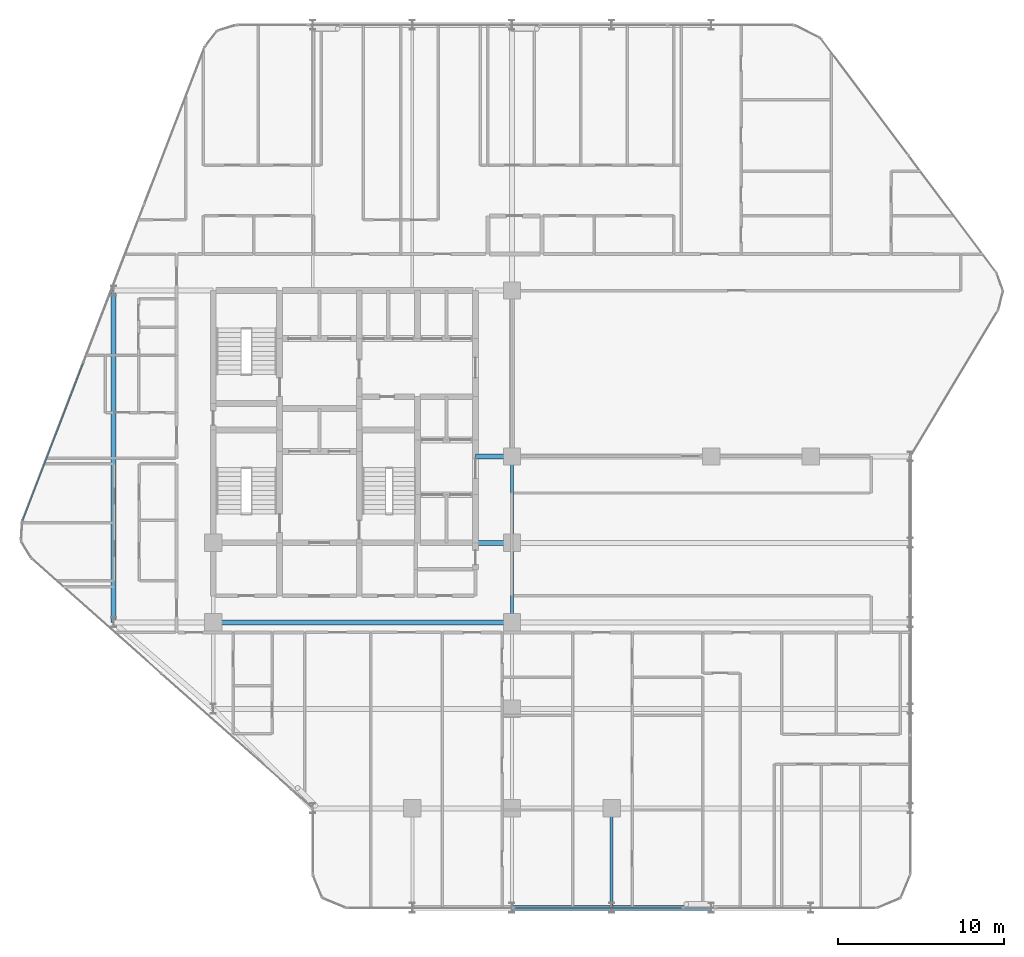
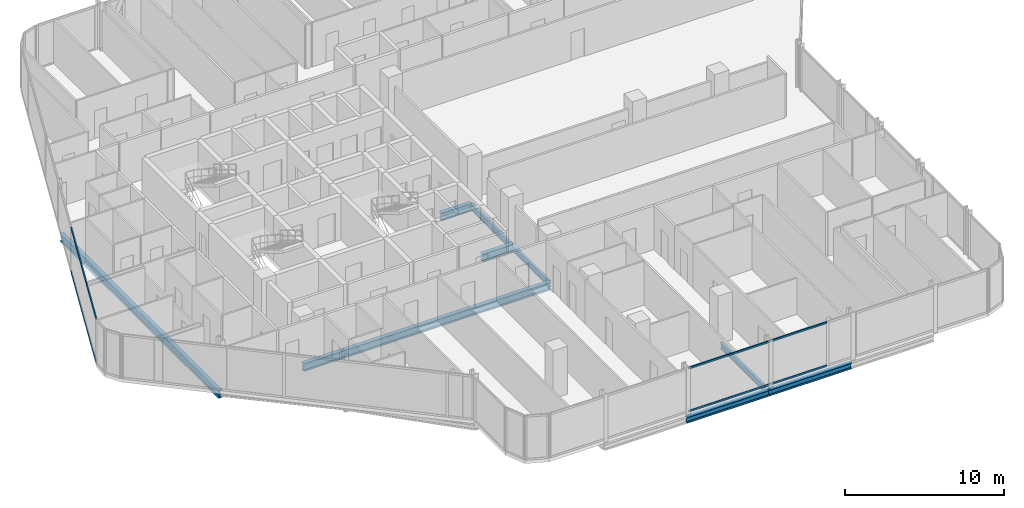
# One storey, part 7 of 30: 9 beams, 4 members, 2 elements without a shape of their own.
"""IFC4 building model written with IfcOpenShell, lengths in metres."""

from ifc_helpers import new_model, si_unit, direction, frame, origin, origin_2d, place, context, subcontext, project, spatial, hollow_rectangle, i_section, extrude, material, layer, layer_set, material_profile, profile_set, type_object, element, aggregate, save


model = new_model("IFC4")

# Units and contexts
model_context = context("Model", 3, precision=1e-05, world=origin(), true_north=direction((0.0, 1.0)))
body_context = subcontext(model_context, "Body", "Model", "MODEL_VIEW")
ifc_project = project(units=[si_unit("LENGTHUNIT", "METRE"), si_unit("AREAUNIT", "SQUARE_METRE"), si_unit("VOLUMEUNIT", "CUBIC_METRE"), si_unit("PLANEANGLEUNIT", "RADIAN"), si_unit("MASSUNIT", "GRAM", prefix="KILO")], contexts=[model_context])

# Site, building, storey
site_placement = place(None, origin())
site = spatial("IfcSite", under=ifc_project, at=site_placement, CompositionType="ELEMENT")
building_placement = place(site_placement, origin())
building = spatial("IfcBuilding", under=site, at=building_placement, Name="Keshet Zoharim Tower", CompositionType="ELEMENT")
storey_placement = place(building_placement, frame((0.0, 0.0, 113.10009765625)))
storey = spatial("IfcBuildingStorey", under=building, at=storey_placement, Name="L27", CompositionType="ELEMENT", Elevation=113.10009765625)

# Beams
ifc_material_1 = material(Name="Steel S355", Category="steel")
ifc_material_profile_1 = material_profile(ifc_material_1, i_section(OverallWidth=0.300048828125, OverallDepth=0.60009765625, WebThickness=0.015380859375, FlangeThickness=0.030029296875, FilletRadius=0.027099609375, at=origin_2d()), Name="HEB600")
ifc_profile_set_1 = profile_set([ifc_material_profile_1], Name="Steel S355")
beam_type_1 = type_object("IfcBeamType", Name="BM-CLK-HB600", PredefinedType="BEAM", material=ifc_profile_set_1)
for number, where, z_axis, x_axis, name in (
    (1, (30.800048828125, 22.699951171875, -0.614990234375), (1.0, 0.0, 0.0), (0.0, 1.0, 0.0), "L27 Core Wall Link Girder 01"),
    (2, (30.800048828125, 27.89990234375, -0.614990234375), (1.0, 0.0, 0.0), (0.0, 1.0, 0.0), "L27 Core Wall Link Girder 02"),
):
    element("IfcBeam", number, at=place(storey_placement, frame(where, z_axis=z_axis, x_axis=x_axis)), inside=storey, type_object=beam_type_1, Name=name, PredefinedType="BEAM", context=body_context, shape_type="SweptSolid", body=[
        extrude(i_section(OverallWidth=0.300048828125, OverallDepth=0.60009765625, WebThickness=0.015380859375, FlangeThickness=0.030029296875, FilletRadius=0.027099609375, at=origin_2d()), origin(), (0.0, 0.0, 1.0), 2.199951171875),
    ])
ifc_material_profile_2 = material_profile(ifc_material_1, i_section(OverallWidth=0.300048828125, OverallDepth=0.60009765625, WebThickness=0.015380859375, FlangeThickness=0.030029296875, FilletRadius=0.027099609375, at=origin_2d()), Name="HEB600")
ifc_profile_set_2 = profile_set([ifc_material_profile_2], Name="Steel S355")
beam_type_2 = type_object("IfcBeamType", Name="BM-LNG-HB600", PredefinedType="BEAM", material=ifc_profile_set_2)
beam_1_placement = place(storey_placement, frame((15.0, 17.89990234375, -0.614990234375), z_axis=(1.0, 0.0, 0.0), x_axis=(0.0, 1.0, 0.0)))
element("IfcBeam", 3, at=beam_1_placement, inside=storey, type_object=beam_type_2, Name="L27 Primary Girder X-012", PredefinedType="BEAM", context=body_context, shape_type="SweptSolid", body=[
    extrude(i_section(OverallWidth=0.300048828125, OverallDepth=0.60009765625, WebThickness=0.015380859375, FlangeThickness=0.030029296875, FilletRadius=0.027099609375, at=origin_2d()), origin(), (0.0, 0.0, 1.0), 18.0),
])
beam_2_placement = place(storey_placement, frame((9.0, 17.89990234375, -0.614990234375), z_axis=(0.0, 1.0, 0.0), x_axis=(-1.0, 0.0, 0.0)))
element("IfcBeam", 4, at=beam_2_placement, inside=storey, type_object=beam_type_2, Name="L27 Primary Girder Y-001", PredefinedType="BEAM", context=body_context, shape_type="SweptSolid", body=[
    extrude(i_section(OverallWidth=0.300048828125, OverallDepth=0.60009765625, WebThickness=0.015380859375, FlangeThickness=0.030029296875, FilletRadius=0.027099609375, at=origin_2d()), origin(), (0.0, 0.0, 1.0), 20.0),
])
ifc_material_profile_3 = material_profile(ifc_material_1, i_section(OverallWidth=0.18994140625, OverallDepth=0.449951171875, WebThickness=0.009521484375, FlangeThickness=0.0146484375, FilletRadius=0.02099609375, at=origin_2d()), Name="IPE450")
ifc_profile_set_3 = profile_set([ifc_material_profile_3], Name="Steel S355")
beam_type_3 = type_object("IfcBeamType", Name="BM-PRI-IP450", PredefinedType="BEAM", material=ifc_profile_set_3)
beam_3_placement = place(storey_placement, frame((33.0, 17.89990234375, -0.5400390625), z_axis=(0.0, 1.0, 0.0), x_axis=(-1.0, 0.0, 0.0)))
element("IfcBeam", 5, at=beam_3_placement, inside=storey, type_object=beam_type_3, Name="L27 Primary Girder Y-008", PredefinedType="BEAM", context=body_context, shape_type="SweptSolid", body=[
    extrude(i_section(OverallWidth=0.18994140625, OverallDepth=0.449951171875, WebThickness=0.009521484375, FlangeThickness=0.0146484375, FilletRadius=0.02099609375, at=origin_2d()), origin(), (0.0, 0.0, 1.0), 4.800048828125),
])
beam_4_placement = place(storey_placement, frame((33.0, 22.699951171875, -0.5400390625), z_axis=(0.0, 1.0, 0.0), x_axis=(-1.0, 0.0, 0.0)))
element("IfcBeam", 6, at=beam_4_placement, inside=storey, type_object=beam_type_3, Name="L27 Primary Girder Y-009", PredefinedType="BEAM", context=body_context, shape_type="SweptSolid", body=[
    extrude(i_section(OverallWidth=0.18994140625, OverallDepth=0.449951171875, WebThickness=0.009521484375, FlangeThickness=0.0146484375, FilletRadius=0.02099609375, at=origin_2d()), origin(), (0.0, 0.0, 1.0), 5.199951171875),
])
beam_5_placement = place(storey_placement, frame((39.0, 0.699951171875, -0.5400390625), z_axis=(0.0, 1.0, 0.0), x_axis=(-1.0, 0.0, 0.0)))
element("IfcBeam", 7, at=beam_5_placement, inside=storey, type_object=beam_type_3, Name="L27 Primary Girder Y-012", PredefinedType="BEAM", context=body_context, shape_type="SweptSolid", body=[
    extrude(i_section(OverallWidth=0.18994140625, OverallDepth=0.449951171875, WebThickness=0.009521484375, FlangeThickness=0.0146484375, FilletRadius=0.02099609375, at=origin_2d()), origin(), (0.0, 0.0, 1.0), 6.0),
])
ifc_material_profile_4 = material_profile(ifc_material_1, i_section(OverallWidth=0.300048828125, OverallDepth=0.449951171875, WebThickness=0.013916015625, FlangeThickness=0.02587890625, FilletRadius=0.027099609375, at=origin_2d()), Name="HEB450")
ifc_profile_set_4 = profile_set([ifc_material_profile_4], Name="Steel S355")
beam_type_4 = type_object("IfcBeamType", Name="BM-WEB-HB450", PredefinedType="BEAM", material=ifc_profile_set_4)
for number, where, z_axis, x_axis, name in (
    (8, (33.0, 0.699951171875, -0.5400390625), (1.0, 0.0, 0.0), (0.0, 1.0, 0.0), "L27 Primary Girder X-002"),
    (9, (39.0, 0.699951171875, -0.5400390625), (1.0, 0.0, 0.0), (0.0, 1.0, 0.0), "L27 Primary Girder X-003"),
):
    element("IfcBeam", number, at=place(storey_placement, frame(where, z_axis=z_axis, x_axis=x_axis)), inside=storey, type_object=beam_type_4, Name=name, PredefinedType="BEAM", context=body_context, shape_type="SweptSolid", body=[
        extrude(i_section(OverallWidth=0.300048828125, OverallDepth=0.449951171875, WebThickness=0.013916015625, FlangeThickness=0.02587890625, FilletRadius=0.027099609375, at=origin_2d()), origin(), (0.0, 0.0, 1.0), 6.0),
    ])

# Curtain wall, members
ifc_material_2 = material(Name="Aluminium 6063-T6", Category="aluminium")
ifc_layer = layer(ifc_material_2, 0.159912109375)
ifc_layer_set = layer_set([ifc_layer], Name="Aluminium 6063-T6")
curtain_wall_type = type_object("IfcCurtainWallType", Name="CW-SYS-03", PredefinedType="NOTDEFINED", material=ifc_layer_set)
curtain_wall_1_placement = place(storey_placement, origin())
curtain_wall_1 = element("IfcCurtainWall", 10, at=curtain_wall_1_placement, inside=storey, type_object=curtain_wall_type, Name="L27 Unitised Curtain Wall 03 Part 3", PredefinedType="NOTDEFINED")
ifc_material_profile_5 = material_profile(ifc_material_2, hollow_rectangle(XDim=0.080078125, YDim=0.139892578125, WallThickness=0.00390625, at=origin_2d()), Name="TRN-80x140")
ifc_profile_set_5 = profile_set([ifc_material_profile_5], Name="Aluminium 6063-T6")
member_type = type_object("IfcMemberType", Name="CWT-T14", PredefinedType="USERDEFINED", material=ifc_profile_set_5)
member_1_placement = place(storey_placement, frame((43.251953125, 0.699951171875, 0.034912109375), z_axis=(-1.0, 0.0, 0.0), x_axis=(0.0, -1.0, 0.0)))
member_1 = element("IfcMember", 11, at=member_1_placement, type_object=member_type, Name="CW-03 transom 1.1", ObjectType="TRANSOM", PredefinedType="USERDEFINED", context=body_context, shape_type="SweptSolid", body=[
    extrude(hollow_rectangle(XDim=0.080078125, YDim=0.139892578125, WallThickness=0.00390625, at=origin_2d()), origin(), (0.0, 0.0, 1.0), 10.091064453125),
])
member_2_placement = place(storey_placement, frame((43.251953125, 0.699951171875, 3.349853515625), z_axis=(-1.0, 0.0, 0.0), x_axis=(0.0, -1.0, 0.0)))
member_2 = element("IfcMember", 12, at=member_2_placement, type_object=member_type, Name="CW-03 transom 1.2", ObjectType="TRANSOM", PredefinedType="USERDEFINED", context=body_context, shape_type="SweptSolid", body=[
    extrude(hollow_rectangle(XDim=0.080078125, YDim=0.139892578125, WallThickness=0.00390625, at=origin_2d()), origin(), (0.0, 0.0, 1.0), 10.091064453125),
])
aggregate(curtain_wall_1, [member_1, member_2])

curtain_wall_2_placement = place(storey_placement, origin())
curtain_wall_2 = element("IfcCurtainWall", 13, at=curtain_wall_2_placement, inside=storey, type_object=curtain_wall_type, Name="L27 Unitised Curtain Wall 10", PredefinedType="NOTDEFINED")
member_3_placement = place(storey_placement, frame((3.522216796875, 24.058349609375, 0.034912109375), z_axis=(0.358993631387, 0.93334000912, 0.0), x_axis=(-0.93334000912, 0.358993631387, 0.0)))
member_3 = element("IfcMember", 14, at=member_3_placement, type_object=member_type, Name="CW-03 transom 1.1", ObjectType="TRANSOM", PredefinedType="USERDEFINED", context=body_context, shape_type="SweptSolid", body=[
    extrude(hollow_rectangle(XDim=0.080078125, YDim=0.139892578125, WallThickness=0.00390625, at=origin_2d()), origin(), (0.0, 0.0, 1.0), 10.1181640625),
])
member_4_placement = place(storey_placement, frame((3.522216796875, 24.058349609375, 3.349853515625), z_axis=(0.358993631387, 0.93334000912, 0.0), x_axis=(-0.93334000912, 0.358993631387, 0.0)))
member_4 = element("IfcMember", 15, at=member_4_placement, type_object=member_type, Name="CW-03 transom 1.2", ObjectType="TRANSOM", PredefinedType="USERDEFINED", context=body_context, shape_type="SweptSolid", body=[
    extrude(hollow_rectangle(XDim=0.080078125, YDim=0.139892578125, WallThickness=0.00390625, at=origin_2d()), origin(), (0.0, 0.0, 1.0), 10.1181640625),
])
aggregate(curtain_wall_2, [member_3, member_4])

save(model, "model.ifc")
